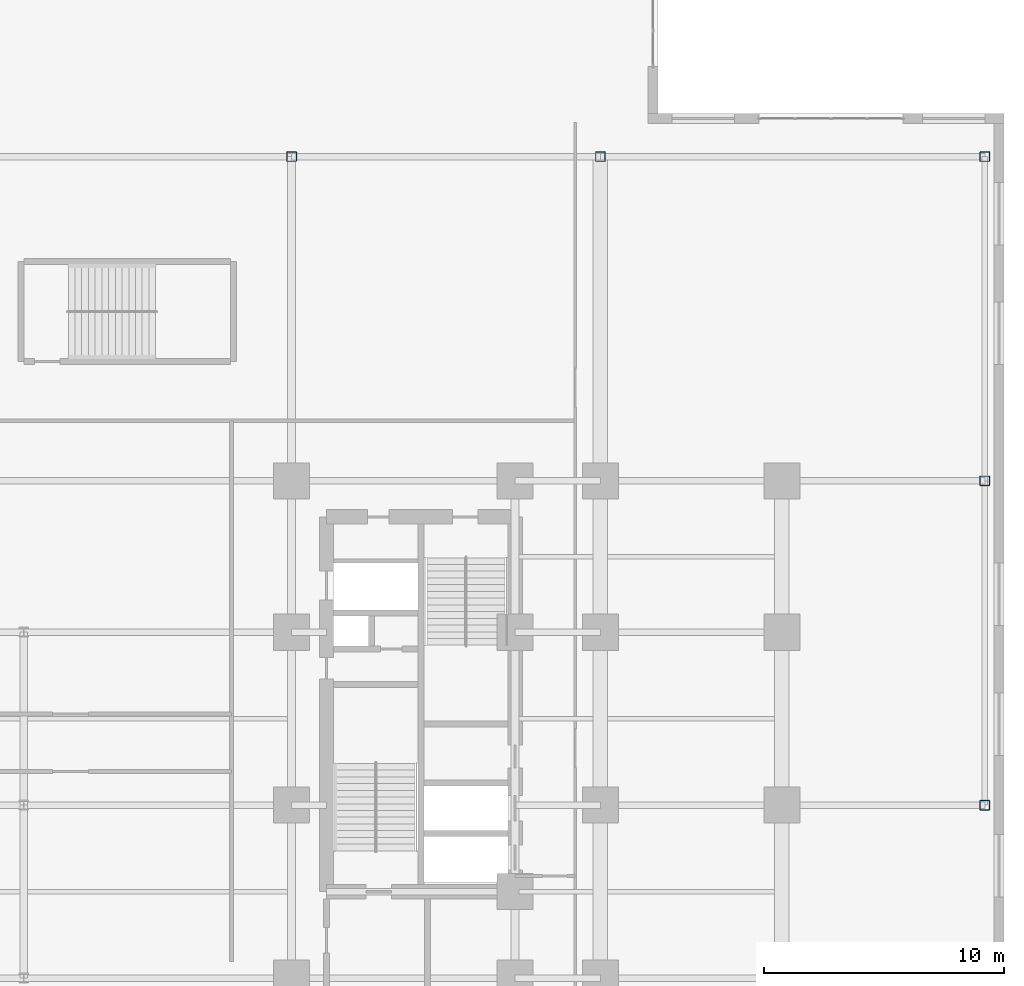
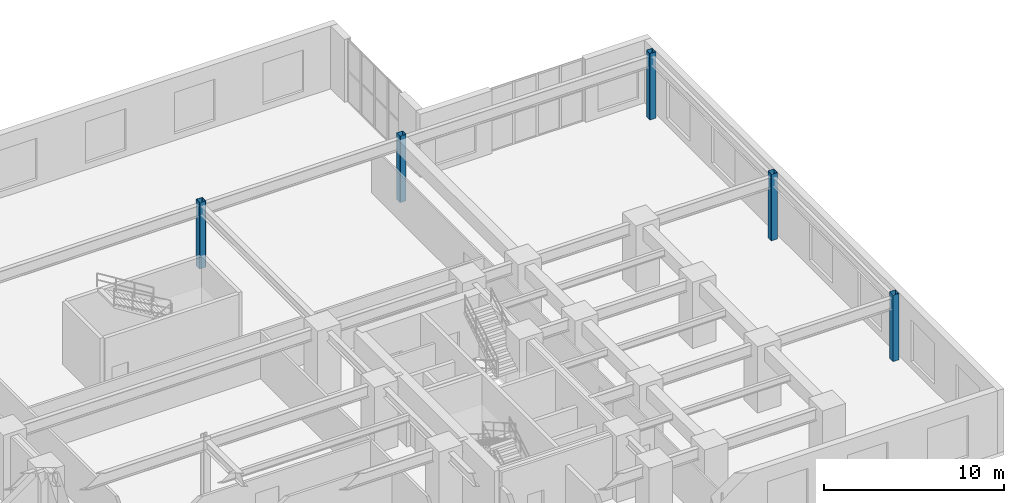
# One storey, part 2 of 15: 5 columns.
"""IFC4 building model written with IfcOpenShell, lengths in metres."""

from ifc_helpers import new_model, entity, si_unit, converted_unit, direction, frame, origin_with_axes, origin_2d_with_axis, place, context, subcontext, project, spatial, hollow_rectangle, extrude, material, material_profile, profile_set, type_object, element, save


model = new_model("IFC4")

# Units and contexts
model_context = context("Model", 3, precision=1e-05, world=origin_with_axes(), true_north=direction((0.0, 1.0)))
body_context = subcontext(model_context, "Body", "Model", "MODEL_VIEW")
ifc_project = project(units=[si_unit("LENGTHUNIT", "METRE"), si_unit("AREAUNIT", "SQUARE_METRE"), si_unit("VOLUMEUNIT", "CUBIC_METRE"), converted_unit("PLANEANGLEUNIT", "DEGREE", entity("IfcPlaneAngleMeasure", 0.017453292519943295), si_unit("PLANEANGLEUNIT", "RADIAN"), dimensions=[0, 0, 0, 0, 0, 0, 0]), si_unit("MASSUNIT", "GRAM", prefix="KILO"), si_unit("THERMODYNAMICTEMPERATUREUNIT", "KELVIN")], contexts=[model_context])

# Site, building, storey
site_placement = place(None, origin_with_axes())
site = spatial("IfcSite", under=ifc_project, at=site_placement, CompositionType="ELEMENT")
building_placement = place(site_placement, origin_with_axes())
building = spatial("IfcBuilding", under=site, at=building_placement, Name="Varnlund Millrace Tower", CompositionType="ELEMENT")
storey_placement = place(building_placement, frame((0.0, 0.0, 10.8), z_axis=(0.0, 0.0, 1.0), x_axis=(1.0, 0.0, 0.0)))
storey = spatial("IfcBuildingStorey", under=building, at=storey_placement, Name="L02", CompositionType="ELEMENT", Elevation=10.8)

# Columns
ifc_material = material(Name="Steel ASTM A500 Grade C", Category="steel")
ifc_material_profile = material_profile(ifc_material, hollow_rectangle(XDim=0.406, YDim=0.406, WallThickness=0.0147, InnerFilletRadius=0.015, OuterFilletRadius=0.03, at=origin_2d_with_axis()), Name="Steel ASTM A500 Grade C")
ifc_profile_set = profile_set([ifc_material_profile], Name="Steel ASTM A500 Grade C")
column_type = type_object("IfcColumnType", Name="Type-Col-Int-HSS16", PredefinedType="COLUMN", material=ifc_profile_set)
for number, where, z_axis, x_axis, name in (
    (1, (67.6, 10.8, 0.0), (0.0, 0.0, 1.0), (1.0, 0.0, 0.0), "Type-Col-Int-HSS16"),
    (2, (67.6, 24.3, 0.0), (0.0, 0.0, 1.0), (1.0, 0.0, 0.0), "Type-Col-Int-HSS16"),
    (3, (67.6, 37.8, 0.0), (0.0, 0.0, 1.0), (1.0, 0.0, 0.0), "Type-Col-Int-HSS16"),
    (4, (38.75, 37.8, 0.0), (0.0, 0.0, 1.0), (1.0, 0.0, 0.0), "Type-Col-Int-HSS16"),
    (5, (51.6, 37.8, 0.0), (0.0, 0.0, 1.0), (1.0, 0.0, 0.0), "Type-Col-Int-HSS16"),
):
    element("IfcColumn", number, at=place(storey_placement, frame(where, z_axis=z_axis, x_axis=x_axis)), inside=storey, type_object=column_type, Name=name, PredefinedType="COLUMN", context=body_context, shape_type="SweptSolid", body=[
        extrude(hollow_rectangle(XDim=0.406, YDim=0.406, WallThickness=0.0147, InnerFilletRadius=0.015, OuterFilletRadius=0.03, at=origin_2d_with_axis()), origin_with_axes(), (0.0, 0.0, 1.0), 4.5),
    ])

save(model, "model.ifc")
